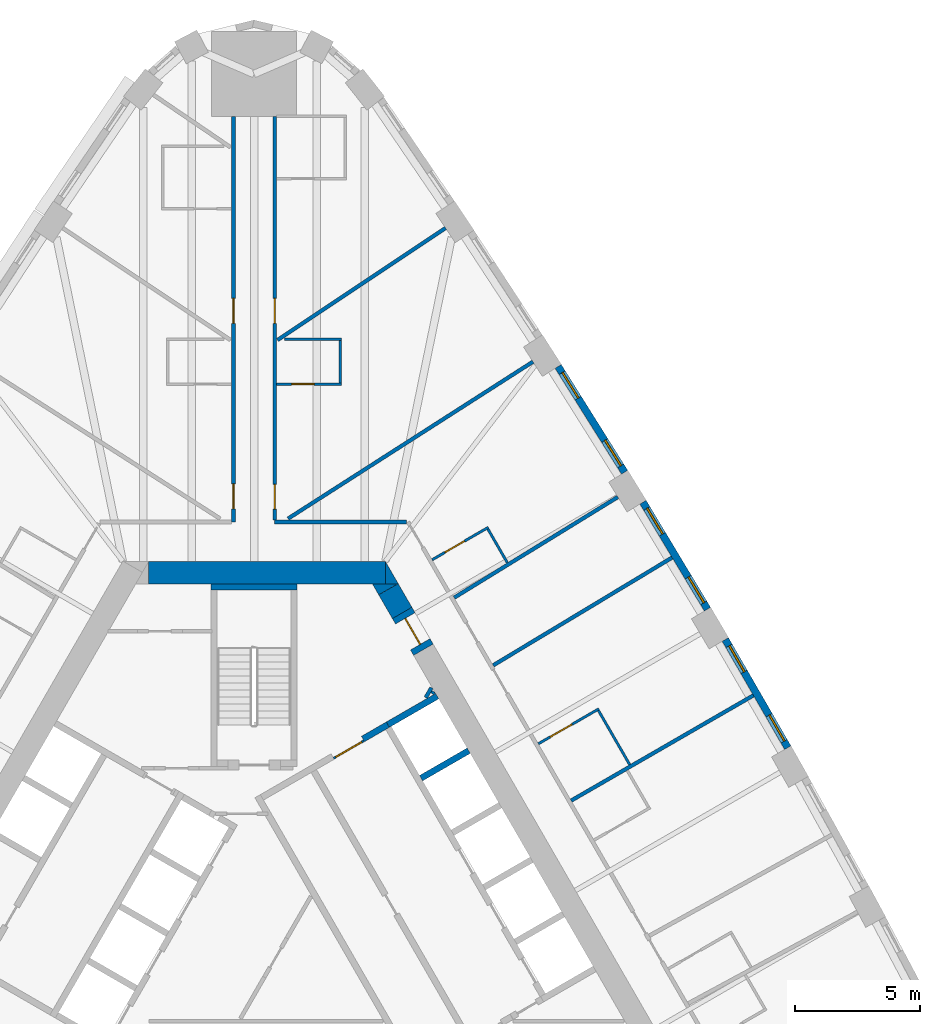
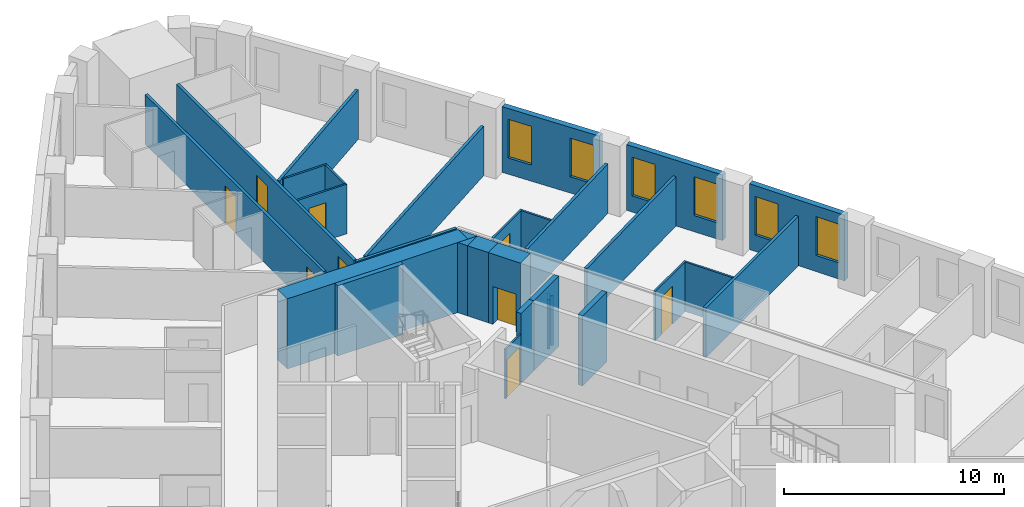
# One storey, part 11 of 13: 30 walls, 9 doors, 6 windows, 15 openings.
"""IFC4 building model written with IfcOpenShell, lengths in metres."""

import ifcopenshell
import ifcopenshell.guid

model = None  # the IFC model being written
_history = None  # IfcOwnerHistory: only IFC2X3 demands one
_inside = {}  # id of a spatial element -> (the spatial element, [elements in it])
_under = {}  # id of a project, library or spatial element -> (it, [spatial elements below it])
_declared = {}  # id of a project -> (the project, [libraries it declares])
_typed = {}  # id of a type object -> (the type object, [elements of that type])
_made_of = {}  # id of a material, layer set ... -> (it, [elements and type objects made of it])


def new_model(schema):
    """Start an empty IFC model of exactly this schema.

    Asked for "IFC4X3", IfcOpenShell would pick the latest addendum, in which some entities
    have other attributes; the version numbers below select the first issue.
    IFC2X3 requires an IfcOwnerHistory on every rooted entity: one is made here for all.
    """
    global model, _history
    if schema == "IFC4X3":
        model = ifcopenshell.file(schema_version=(4, 3, 0, 0))
    else:
        model = ifcopenshell.file(schema=schema)
    _inside.clear()
    _under.clear()
    _declared.clear()
    _typed.clear()
    _made_of.clear()
    _history = None
    if model.schema == "IFC2X3":
        org = make("IfcOrganization", Name="unknown")
        user = make(
            "IfcPersonAndOrganization",
            ThePerson=make("IfcPerson", FamilyName="unknown"),
            TheOrganization=org,
        )
        app = make(
            "IfcApplication",
            ApplicationDeveloper=org,
            Version="unknown",
            ApplicationFullName="unknown",
            ApplicationIdentifier="unknown",
        )
        _history = make(
            "IfcOwnerHistory",
            OwningUser=user,
            OwningApplication=app,
            ChangeAction="ADDED",
            CreationDate=0,
        )
    return model


def make(cls, **values):
    """One entity of the class cls with the attributes given. An attribute that is None is left unset."""
    return model.create_entity(
        cls, **{name: value for name, value in values.items() if value is not None}
    )


def rooted(cls, **values):
    """An entity with a GlobalId (a new one), such as an element, a storey or a relation."""
    return make(cls, GlobalId=ifcopenshell.guid.new(), OwnerHistory=_history, **values)


def si_unit(unit_type, name, prefix=None):
    """IfcSIUnit, for example si_unit("LENGTHUNIT", "METRE", prefix="MILLI")."""
    return make("IfcSIUnit", UnitType=unit_type, Prefix=prefix, Name=name)


def assignment(units):
    """IfcUnitAssignment: the units of a project."""
    return None if units is None else make("IfcUnitAssignment", Units=units)


def point(xyz):
    """IfcCartesianPoint."""
    return None if xyz is None else make("IfcCartesianPoint", Coordinates=xyz)


def direction(xyz):
    """IfcDirection."""
    return None if xyz is None else make("IfcDirection", DirectionRatios=xyz)


def frame(location, z_axis=None, x_axis=None):
    """IfcAxis2Placement3D, a coordinate frame: its origin and axes. An axis left out is left unset."""
    return make(
        "IfcAxis2Placement3D",
        Location=point(location),
        Axis=direction(z_axis),
        RefDirection=direction(x_axis),
    )


def frame_2d(location, x_axis=None):
    """IfcAxis2Placement2D, a coordinate frame in the plane: its origin and x axis."""
    return make(
        "IfcAxis2Placement2D", Location=point(location), RefDirection=direction(x_axis)
    )


def origin():
    """The frame at (0, 0, 0) with its axes left unset."""
    return frame((0.0, 0.0, 0.0))


def place(relative_to, where):
    """IfcLocalPlacement: puts the frame where relative to a parent placement (None: the world)."""
    return make(
        "IfcLocalPlacement", PlacementRelTo=relative_to, RelativePlacement=where
    )


def context(
    kind, dimensions, precision=None, world=None, true_north=None, identifier=None
):
    """IfcGeometricRepresentationContext, for example the 3D "Model" context."""
    return make(
        "IfcGeometricRepresentationContext",
        ContextIdentifier=identifier,
        ContextType=kind,
        CoordinateSpaceDimension=dimensions,
        Precision=precision,
        WorldCoordinateSystem=world,
        TrueNorth=true_north,
    )


def subcontext(parent, identifier, kind, view, scale=None):
    """IfcGeometricRepresentationSubContext, for example "Body" below "Model"."""
    return make(
        "IfcGeometricRepresentationSubContext",
        ContextIdentifier=identifier,
        ContextType=kind,
        ParentContext=parent,
        TargetScale=scale,
        TargetView=view,
    )


def project(units=None, contexts=None):
    """IfcProject with its units and contexts."""
    return rooted(
        "IfcProject",
        Name="project",
        RepresentationContexts=contexts,
        UnitsInContext=assignment(units),
    )


def spatial(cls, under=None, at=None, **own):
    """A site, building, storey or space (cls), placed at a placement, below another one or the project."""
    s = rooted(cls, ObjectPlacement=at, **own)
    if under is not None:
        _under.setdefault(under.id(), (under, []))[1].append(s)
    return s


def polyline(points):
    """IfcPolyline through the points."""
    return make("IfcPolyline", Points=[point(p) for p in points])


def profile(cls, at=None, kind="AREA", **sizes):
    """A parametric profile (cls). Its sizes go by their IFC names, for example OverallWidth=200.0."""
    return make(cls, ProfileType=kind, Position=at, **sizes)


def rectangle(**sizes):
    """IfcRectangleProfileDef."""
    return profile("IfcRectangleProfileDef", **sizes)


def outline(outer, holes=None, kind="AREA"):
    """IfcArbitraryClosedProfileDef: a profile drawn as a closed curve; with holes, ...WithVoids."""
    if holes is None:
        return make("IfcArbitraryClosedProfileDef", ProfileType=kind, OuterCurve=outer)
    return make(
        "IfcArbitraryProfileDefWithVoids",
        ProfileType=kind,
        OuterCurve=outer,
        InnerCurves=holes,
    )


def extrude(swept, where, along, depth):
    """IfcExtrudedAreaSolid: the profile swept, set in the frame where, extruded along a direction by depth."""
    return make(
        "IfcExtrudedAreaSolid",
        SweptArea=swept,
        Position=where,
        ExtrudedDirection=direction(along),
        Depth=depth,
    )


def shape(context_of_items, identifier, shape_type, items):
    """IfcShapeRepresentation: the items that make up one representation, for example the "Body"."""
    return make(
        "IfcShapeRepresentation",
        ContextOfItems=context_of_items,
        RepresentationIdentifier=identifier,
        RepresentationType=shape_type,
        Items=items,
    )


def material(Name=None, Category=None):
    """IfcMaterial."""
    return make("IfcMaterial", Name=Name, Category=Category)


def layer(
    of_material, thickness, ventilated=None, Name=None, Category=None, Priority=None
):
    """IfcMaterialLayer: one layer of a wall or slab, of a material (None: an air gap)."""
    return make(
        "IfcMaterialLayer",
        Material=of_material,
        LayerThickness=thickness,
        IsVentilated=ventilated,
        Name=Name,
        Category=Category,
        Priority=Priority,
    )


def layer_set(layers, Name=None):
    """IfcMaterialLayerSet."""
    return make("IfcMaterialLayerSet", MaterialLayers=layers, LayerSetName=Name)


def made_of(thing, what):
    """Note that an element or type object is made of a material, layer set ...; save() writes the relation."""
    if what is not None:
        _made_of.setdefault(what.id(), (what, []))[1].append(thing)
    return thing


def type_object(cls, material=None, **own):
    """A type object (cls), such as IfcWallType, which elements share."""
    return made_of(rooted(cls, **own), material)


def element(
    cls,
    number,
    at=None,
    inside=None,
    cuts=None,
    type_object=None,
    material=None,
    context=None,
    identifier="Body",
    shape_type=None,
    held_by="IfcProductDefinitionShape",
    body=None,
    shapes=None,
    **own,
):
    """One element of the class cls, such as IfcWall. Its Tag is "e" and its number.

    at: its placement. inside: the storey or other place that contains it. cuts: it is an
    opening in that element (IfcRelVoidsElement). A single representation is given by context,
    identifier, shape_type and body (its items); several are given by shapes. held_by: the class
    of the entity that holds the representations. save() writes the other relations.
    """
    e = rooted(cls, Tag="e%d" % number, ObjectPlacement=at, **own)
    if body is not None:
        shapes = [shape(context, identifier, shape_type, body)]
    if shapes is not None:
        e.Representation = make(held_by, Representations=shapes)
    if inside is not None:
        _inside.setdefault(inside.id(), (inside, []))[1].append(e)
    if cuts is not None:
        rooted(
            "IfcRelVoidsElement", RelatingBuildingElement=cuts, RelatedOpeningElement=e
        )
    if type_object is not None:
        _typed.setdefault(type_object.id(), (type_object, []))[1].append(e)
    return made_of(e, material)


def fill(opening, filler):
    """IfcRelFillsElement: the door or window that sits in an opening."""
    return rooted(
        "IfcRelFillsElement",
        RelatingOpeningElement=opening,
        RelatedBuildingElement=filler,
    )


def aggregate(whole, parts):
    """IfcRelAggregates: a whole, such as a stair, and the parts it consists of."""
    return rooted("IfcRelAggregates", RelatingObject=whole, RelatedObjects=parts)


def save(model, path):
    """Write the relations noted so far, then the file.

    IfcRelAggregates (storeys below a building ...), IfcRelContainedInSpatialStructure (elements
    in a storey), IfcRelDefinesByType, IfcRelAssociatesMaterial and IfcRelDeclares: one each for
    every whole, place, type object, material and project.
    """
    for whole, parts in _under.values():
        aggregate(whole, parts)
    for where, things in _inside.values():
        rooted(
            "IfcRelContainedInSpatialStructure",
            RelatedElements=things,
            RelatingStructure=where,
        )
    for kind, things in _typed.values():
        rooted("IfcRelDefinesByType", RelatedObjects=things, RelatingType=kind)
    for what, things in _made_of.values():
        rooted("IfcRelAssociatesMaterial", RelatedObjects=things, RelatingMaterial=what)
    for by, libraries in _declared.values():
        rooted("IfcRelDeclares", RelatingContext=by, RelatedDefinitions=libraries)
    model.write(path)


model = new_model("IFC4")

# Units and contexts
model_context = context("Model", 3, precision=1e-05, world=origin(), true_north=direction((0.0, 1.0)))
body_context = subcontext(model_context, "Body", "Model", "MODEL_VIEW")
ifc_project = project(units=[si_unit("LENGTHUNIT", "METRE"), si_unit("AREAUNIT", "SQUARE_METRE"), si_unit("VOLUMEUNIT", "CUBIC_METRE"), si_unit("PLANEANGLEUNIT", "RADIAN"), si_unit("MASSUNIT", "GRAM", prefix="KILO")], contexts=[model_context])

# Site, building, storey
site_placement = place(None, origin())
site = spatial("IfcSite", under=ifc_project, at=site_placement, CompositionType="ELEMENT")
building_placement = place(site_placement, origin())
building = spatial("IfcBuilding", under=site, at=building_placement, Name="Mestral Congress Tower", CompositionType="ELEMENT")
storey_placement = place(building_placement, frame((0.0, 0.0, 27.60009765625)))
storey = spatial("IfcBuildingStorey", under=building, at=storey_placement, Name="L05", CompositionType="ELEMENT", Elevation=27.60009765625)

# Walls
ifc_material_1 = material(Name="Fire-rated board partition")
ifc_layer_1 = layer(ifc_material_1, 0.14990234375)
ifc_layer_set_1 = layer_set([ifc_layer_1], Name="Fire-rated board partition")
wall_type_1 = type_object("IfcWallType", Name="Core partition 150", PredefinedType="PARTITIONING", material=ifc_layer_set_1)
wall_1_placement = place(storey_placement, frame((6.87158203125, 11.44970703125, 0.0), z_axis=(0.0, 0.0, 1.0), x_axis=(0.499846793097, 0.866113839764, 0.0)))
element("IfcWall", 1, at=wall_1_placement, inside=storey, type_object=wall_type_1, Name="L05 core wall", PredefinedType="PARTITIONING", context=body_context, shape_type="SweptSolid", body=[
    extrude(rectangle(XDim=0.453369140625, YDim=0.14990234375, at=frame_2d((0.2265625, 0.0))), origin(), (0.0, 0.0, 1.0), 2.75),
])
wall_2_placement = place(storey_placement, frame((7.13134765625, 11.599609375, 0.0), z_axis=(0.0, 0.0, 1.0), x_axis=(0.498600033135, 0.866832167699, 0.0)))
element("IfcWall", 2, at=wall_2_placement, inside=storey, type_object=wall_type_1, Name="L05 core wall", PredefinedType="PARTITIONING", context=body_context, shape_type="SweptSolid", body=[
    extrude(rectangle(XDim=0.106689453125, YDim=0.14990234375, at=frame_2d((0.05322265625, 0.0))), origin(), (0.0, 0.0, 1.0), 2.75),
])

# Wall, opening, door
ifc_layer_2 = layer(ifc_material_1, 0.090087890625)
ifc_layer_set_2 = layer_set([ifc_layer_2], Name="Fire-rated board partition")
wall_type_2 = type_object("IfcWallType", Name="Core partition 150 door-wall 90", PredefinedType="PARTITIONING", material=ifc_layer_set_2)
wall_3_placement = place(storey_placement, frame((3.182861328125, 9.02001953125, 0.0), z_axis=(0.0, 0.0, 1.0), x_axis=(0.866034573852, 0.49998411664, 0.0)))
wall_3 = element("IfcWall", 3, at=wall_3_placement, inside=storey, type_object=wall_type_2, Name="L05 door wall", PredefinedType="PARTITIONING", context=body_context, shape_type="SweptSolid", body=[
    extrude(rectangle(XDim=1.39990234375, YDim=0.090087890625, at=frame_2d((0.699951171875, 0.0))), origin(), (0.0, 0.0, 1.0), 2.75),
])
opening_1_placement = place(wall_3_placement, frame((0.10009765625, 0.0, 0.0)))
opening_1 = element("IfcOpeningElement", 4, at=opening_1_placement, cuts=wall_3, Name="Opening LB1-WL2", PredefinedType="OPENING", context=body_context, shape_type="SweptSolid", body=[
    extrude(rectangle(XDim=1.199951171875, YDim=2.10009765625, at=frame_2d((0.60009765625, 1.050048828125))), frame((0.0, 0.054931640625, 0.0), z_axis=(0.0, -1.0, 0.0), x_axis=(1.0, 0.0, 0.0)), (0.0, 0.0, 1.0), 0.110107421875),
])
ifc_material_2 = material(Name="Fire-rated steel door set", Category="steel")
door_type_1 = type_object("IfcDoorType", Name="Core door LB 1200x2100", OperationType="SINGLE_SWING_LEFT", PredefinedType="DOOR", material=ifc_material_2)
door_1_placement = place(opening_1_placement, origin())
door_1 = element("IfcDoor", 5, at=door_1_placement, inside=storey, type_object=door_type_1, Name="Door LB1-WL2", OperationType="SINGLE_SWING_LEFT", OverallHeight=2.10009765625, OverallWidth=1.199951171875, PredefinedType="DOOR", context=body_context, shape_type="SweptSolid", body=[
    extrude(rectangle(XDim=1.199951171875, YDim=2.10009765625, at=frame_2d((0.60009765625, 1.050048828125))), frame((0.0, 0.02490234375, 0.0), z_axis=(0.0, -1.0, 0.0), x_axis=(1.0, 0.0, 0.0)), (0.0, 0.0, 1.0), 0.050048828125),
])
fill(opening_1, door_1)

# Walls
ifc_material_3 = material(Name="Concrete C60/75", Category="concrete")
ifc_layer_3 = layer(ifc_material_3, 0.89990234375)
ifc_layer_set_3 = layer_set([ifc_layer_3], Name="Concrete C60/75")
wall_type_3 = type_object("IfcWallType", Name="Core wall RC 900", PredefinedType="SOLIDWALL", material=ifc_layer_set_3)
wall_4_placement = place(storey_placement, frame((-4.224365234375, 16.449951171875, 0.0), z_axis=(0.0, 0.0, 1.0), x_axis=(1.0, 0.0, 0.0)))
element("IfcWall", 6, at=wall_4_placement, inside=storey, type_object=wall_type_3, Name="L05 core wall", PredefinedType="SOLIDWALL", context=body_context, shape_type="SweptSolid", body=[
    extrude(rectangle(XDim=9.48779296875, YDim=0.89990234375, at=frame_2d((4.743896484375, 0.0))), origin(), (0.0, 0.0, 1.0), 3.89990234375),
])
placement = place(storey_placement, origin())
element("IfcWall", 7, at=placement, inside=storey, type_object=wall_type_3, Name="L05 core wall", PredefinedType="SOLIDWALL", context=body_context, shape_type="SweptSolid", body=[
    extrude(outline(polyline([(5.265380859375, 16.0), (5.265380859375, 16.8798828125), (5.7734375, 16.0), (5.265380859375, 16.0)])), origin(), (0.0, 0.0, 1.0), 3.89990234375),
])
wall_6_placement = place(storey_placement, frame((5.92578125, 14.836181640625, 0.0), z_axis=(0.0, 0.0, 1.0), x_axis=(-0.500076735116, 0.865981096212, 0.0)))
element("IfcWall", 8, at=wall_6_placement, inside=storey, type_object=wall_type_3, Name="L05 core wall", PredefinedType="SOLIDWALL", context=body_context, shape_type="SweptSolid", body=[
    extrude(rectangle(XDim=1.093505859375, YDim=0.89990234375, at=frame_2d((0.546875, 0.0))), origin(), (0.0, 0.0, 1.0), 3.89990234375),
])
element("IfcWall", 9, at=placement, inside=storey, type_object=wall_type_3, Name="L05 core wall", PredefinedType="SOLIDWALL", context=body_context, shape_type="SweptSolid", body=[
    extrude(outline(polyline([(4.734375, 16.0), (5.750244140625, 16.0), (4.98828125, 15.56005859375), (4.734375, 16.0)])), origin(), (0.0, 0.0, 1.0), 3.89990234375),
])

# Wall, opening, door
wall_8_placement = place(storey_placement, frame((5.92578125, 14.836181640625, 0.0), z_axis=(0.0, 0.0, 1.0), x_axis=(0.500062241894, -0.865989465428, 0.0)))
wall_8 = element("IfcWall", 10, at=wall_8_placement, inside=storey, type_object=wall_type_3, Name="L05 door wall", PredefinedType="SOLIDWALL", context=body_context, shape_type="SweptSolid", body=[
    extrude(rectangle(XDim=1.699951171875, YDim=0.89990234375, at=frame_2d((0.85009765625, 0.0))), origin(), (0.0, 0.0, 1.0), 3.89990234375),
])
opening_2_placement = place(wall_8_placement, frame((0.25, 0.0, 0.0)))
opening_2 = element("IfcOpeningElement", 11, at=opening_2_placement, cuts=wall_8, Name="Opening XD2", PredefinedType="OPENING", context=body_context, shape_type="SweptSolid", body=[
    extrude(rectangle(XDim=1.199951171875, YDim=2.10009765625, at=frame_2d((0.60009765625, 1.050048828125))), frame((0.0, 0.4599609375, 0.0), z_axis=(0.0, -1.0, 0.0), x_axis=(1.0, 0.0, 0.0)), (0.0, 0.0, 1.0), 0.919921875),
])
door_type_2 = type_object("IfcDoorType", Name="Core door XD 1200x2100", OperationType="SINGLE_SWING_LEFT", PredefinedType="DOOR", material=ifc_material_2)
door_2_placement = place(opening_2_placement, origin())
door_2 = element("IfcDoor", 12, at=door_2_placement, inside=storey, type_object=door_type_2, Name="Door XD2", OperationType="SINGLE_SWING_LEFT", OverallHeight=2.10009765625, OverallWidth=1.199951171875, PredefinedType="DOOR", context=body_context, shape_type="SweptSolid", body=[
    extrude(rectangle(XDim=1.199951171875, YDim=2.10009765625, at=frame_2d((0.60009765625, 1.050048828125))), frame((0.0, 0.02490234375, 0.0), z_axis=(0.0, -1.0, 0.0), x_axis=(1.0, 0.0, 0.0)), (0.0, 0.0, 1.0), 0.050048828125),
])
fill(opening_2, door_2)

# Wall, openings, windows
ifc_material_4 = material(Name="Precast concrete C40/50 with limestone facing", Category="masonry")
ifc_layer_4 = layer(ifc_material_4, 0.2900390625)
ifc_layer_set_4 = layer_set([ifc_layer_4], Name="Precast concrete C40/50 with limestone facing")
wall_type_4 = type_object("IfcWallType", Name="Facade stone wall 290", PredefinedType="SOLIDWALL", material=ifc_layer_set_4)
wall_9_placement = place(storey_placement, frame((21.357177734375, 9.44482421875, 0.0), z_axis=(0.0, 0.0, 1.0), x_axis=(-0.50002123722, 0.866013142123, 0.0)))
wall_9 = element("IfcWall", 13, at=wall_9_placement, inside=storey, type_object=wall_type_4, Name="Facade wall F1-04", PredefinedType="SOLIDWALL", context=body_context, shape_type="SweptSolid", body=[
    extrude(rectangle(XDim=4.998291015625, YDim=0.2900390625, at=frame_2d((2.4990234375, 0.0))), origin(), (0.0, 0.0, 1.0), 3.64990234375),
])
opening_3_placement = place(wall_9_placement, frame((0.297119140625, 0.0, 0.89990234375)))
opening_3 = element("IfcOpeningElement", 14, at=opening_3_placement, cuts=wall_9, Name="Opening W1", PredefinedType="OPENING", context=body_context, shape_type="SweptSolid", body=[
    extrude(rectangle(XDim=1.199951171875, YDim=2.14990234375, at=frame_2d((0.60009765625, 1.074951171875))), frame((0.0, 0.155029296875, 0.0), z_axis=(0.0, -1.0, 0.0), x_axis=(1.0, 0.0, 0.0)), (0.0, 0.0, 1.0), 0.31005859375),
])
opening_4_placement = place(wall_9_placement, frame((3.501220703125, 0.0, 0.89990234375)))
opening_4 = element("IfcOpeningElement", 15, at=opening_4_placement, cuts=wall_9, Name="Opening W1", PredefinedType="OPENING", context=body_context, shape_type="SweptSolid", body=[
    extrude(rectangle(XDim=1.199951171875, YDim=2.14990234375, at=frame_2d((0.60009765625, 1.074951171875))), frame((0.0, 0.155029296875, 0.0), z_axis=(0.0, -1.0, 0.0), x_axis=(1.0, 0.0, 0.0)), (0.0, 0.0, 1.0), 0.31005859375),
])
ifc_material_5 = material(Name="Clear low-emissivity double glazing", Category="glass")
window_type = type_object("IfcWindowType", Name="Facade punched window 1200 x 2150 sill 900", PartitioningType="DOUBLE_PANEL_VERTICAL", PredefinedType="WINDOW", material=ifc_material_5)
window_1_placement = place(opening_3_placement, origin())
window_1 = element("IfcWindow", 16, at=window_1_placement, inside=storey, type_object=window_type, Name="Window F1-04a", OverallHeight=2.14990234375, OverallWidth=1.199951171875, PartitioningType="DOUBLE_PANEL_VERTICAL", PredefinedType="WINDOW", context=body_context, shape_type="SweptSolid", body=[
    extrude(rectangle(XDim=1.199951171875, YDim=2.14990234375, at=frame_2d((0.60009765625, 1.074951171875))), frame((0.0, 0.01513671875, 0.0), z_axis=(0.0, -1.0, 0.0), x_axis=(1.0, 0.0, 0.0)), (0.0, 0.0, 1.0), 0.06005859375),
])
fill(opening_3, window_1)
window_2_placement = place(opening_4_placement, origin())
window_2 = element("IfcWindow", 17, at=window_2_placement, inside=storey, type_object=window_type, Name="Window F1-04b", OverallHeight=2.14990234375, OverallWidth=1.199951171875, PartitioningType="DOUBLE_PANEL_VERTICAL", PredefinedType="WINDOW", context=body_context, shape_type="SweptSolid", body=[
    extrude(rectangle(XDim=1.199951171875, YDim=2.14990234375, at=frame_2d((0.60009765625, 1.074951171875))), frame((0.0, 0.01513671875, 0.0), z_axis=(0.0, -1.0, 0.0), x_axis=(1.0, 0.0, 0.0)), (0.0, 0.0, 1.0), 0.06005859375),
])
fill(opening_4, window_2)

wall_10_placement = place(storey_placement, frame((18.143310546875, 14.985595703125, 0.0), z_axis=(0.0, 0.0, 1.0), x_axis=(-0.515938796285, 0.856625448191, 0.0)))
wall_10 = element("IfcWall", 18, at=wall_10_placement, inside=storey, type_object=wall_type_4, Name="Facade wall F1-05", PredefinedType="SOLIDWALL", context=body_context, shape_type="SweptSolid", body=[
    extrude(rectangle(XDim=4.998291015625, YDim=0.2900390625, at=frame_2d((2.4990234375, 0.0))), origin(), (0.0, 0.0, 1.0), 3.64990234375),
])
opening_5_placement = place(wall_10_placement, frame((0.297119140625, 0.0, 0.89990234375)))
opening_5 = element("IfcOpeningElement", 19, at=opening_5_placement, cuts=wall_10, Name="Opening W1", PredefinedType="OPENING", context=body_context, shape_type="SweptSolid", body=[
    extrude(rectangle(XDim=1.199951171875, YDim=2.14990234375, at=frame_2d((0.60009765625, 1.074951171875))), frame((0.0, 0.155029296875, 0.0), z_axis=(0.0, -1.0, 0.0), x_axis=(1.0, 0.0, 0.0)), (0.0, 0.0, 1.0), 0.31005859375),
])
opening_6_placement = place(wall_10_placement, frame((3.501220703125, 0.0, 0.89990234375)))
opening_6 = element("IfcOpeningElement", 20, at=opening_6_placement, cuts=wall_10, Name="Opening W1", PredefinedType="OPENING", context=body_context, shape_type="SweptSolid", body=[
    extrude(rectangle(XDim=1.199951171875, YDim=2.14990234375, at=frame_2d((0.60009765625, 1.074951171875))), frame((0.0, 0.155029296875, 0.0), z_axis=(0.0, -1.0, 0.0), x_axis=(1.0, 0.0, 0.0)), (0.0, 0.0, 1.0), 0.31005859375),
])
window_3_placement = place(opening_5_placement, origin())
window_3 = element("IfcWindow", 21, at=window_3_placement, inside=storey, type_object=window_type, Name="Window F1-05a", OverallHeight=2.14990234375, OverallWidth=1.199951171875, PartitioningType="DOUBLE_PANEL_VERTICAL", PredefinedType="WINDOW", context=body_context, shape_type="SweptSolid", body=[
    extrude(rectangle(XDim=1.199951171875, YDim=2.14990234375, at=frame_2d((0.60009765625, 1.074951171875))), frame((0.0, 0.01513671875, 0.0), z_axis=(0.0, -1.0, 0.0), x_axis=(1.0, 0.0, 0.0)), (0.0, 0.0, 1.0), 0.06005859375),
])
fill(opening_5, window_3)
window_4_placement = place(opening_6_placement, origin())
window_4 = element("IfcWindow", 22, at=window_4_placement, inside=storey, type_object=window_type, Name="Window F1-05b", OverallHeight=2.14990234375, OverallWidth=1.199951171875, PartitioningType="DOUBLE_PANEL_VERTICAL", PredefinedType="WINDOW", context=body_context, shape_type="SweptSolid", body=[
    extrude(rectangle(XDim=1.199951171875, YDim=2.14990234375, at=frame_2d((0.60009765625, 1.074951171875))), frame((0.0, 0.01513671875, 0.0), z_axis=(0.0, -1.0, 0.0), x_axis=(1.0, 0.0, 0.0)), (0.0, 0.0, 1.0), 0.06005859375),
])
fill(opening_6, window_4)

wall_11_placement = place(storey_placement, frame((14.827392578125, 20.466064453125, 0.0), z_axis=(0.0, 0.0, 1.0), x_axis=(-0.531688286542, 0.846940119462, 0.0)))
wall_11 = element("IfcWall", 23, at=wall_11_placement, inside=storey, type_object=wall_type_4, Name="Facade wall F1-06", PredefinedType="SOLIDWALL", context=body_context, shape_type="SweptSolid", body=[
    extrude(rectangle(XDim=4.998291015625, YDim=0.2900390625, at=frame_2d((2.4990234375, 0.0))), origin(), (0.0, 0.0, 1.0), 3.64990234375),
])
opening_7_placement = place(wall_11_placement, frame((0.297119140625, 0.0, 0.89990234375)))
opening_7 = element("IfcOpeningElement", 24, at=opening_7_placement, cuts=wall_11, Name="Opening W1", PredefinedType="OPENING", context=body_context, shape_type="SweptSolid", body=[
    extrude(rectangle(XDim=1.199951171875, YDim=2.14990234375, at=frame_2d((0.60009765625, 1.074951171875))), frame((0.0, 0.155029296875, 0.0), z_axis=(0.0, -1.0, 0.0), x_axis=(1.0, 0.0, 0.0)), (0.0, 0.0, 1.0), 0.31005859375),
])
opening_8_placement = place(wall_11_placement, frame((3.501220703125, 0.0, 0.89990234375)))
opening_8 = element("IfcOpeningElement", 25, at=opening_8_placement, cuts=wall_11, Name="Opening W1", PredefinedType="OPENING", context=body_context, shape_type="SweptSolid", body=[
    extrude(rectangle(XDim=1.199951171875, YDim=2.14990234375, at=frame_2d((0.60009765625, 1.074951171875))), frame((0.0, 0.155029296875, 0.0), z_axis=(0.0, -1.0, 0.0), x_axis=(1.0, 0.0, 0.0)), (0.0, 0.0, 1.0), 0.31005859375),
])
window_5_placement = place(opening_7_placement, origin())
window_5 = element("IfcWindow", 26, at=window_5_placement, inside=storey, type_object=window_type, Name="Window F1-06a", OverallHeight=2.14990234375, OverallWidth=1.199951171875, PartitioningType="DOUBLE_PANEL_VERTICAL", PredefinedType="WINDOW", context=body_context, shape_type="SweptSolid", body=[
    extrude(rectangle(XDim=1.199951171875, YDim=2.14990234375, at=frame_2d((0.60009765625, 1.074951171875))), frame((0.0, 0.01513671875, 0.0), z_axis=(0.0, -1.0, 0.0), x_axis=(1.0, 0.0, 0.0)), (0.0, 0.0, 1.0), 0.06005859375),
])
fill(opening_7, window_5)
window_6_placement = place(opening_8_placement, origin())
window_6 = element("IfcWindow", 27, at=window_6_placement, inside=storey, type_object=window_type, Name="Window F1-06b", OverallHeight=2.14990234375, OverallWidth=1.199951171875, PartitioningType="DOUBLE_PANEL_VERTICAL", PredefinedType="WINDOW", context=body_context, shape_type="SweptSolid", body=[
    extrude(rectangle(XDim=1.199951171875, YDim=2.14990234375, at=frame_2d((0.60009765625, 1.074951171875))), frame((0.0, 0.01513671875, 0.0), z_axis=(0.0, -1.0, 0.0), x_axis=(1.0, 0.0, 0.0)), (0.0, 0.0, 1.0), 0.06005859375),
])
fill(opening_8, window_6)

# Wall, opening, door
ifc_material_6 = material(Name="Gypsum board partition on metal studs with mineral wool", Category="composite")
ifc_layer_5 = layer(ifc_material_6, 0.10009765625)
ifc_layer_set_5 = layer_set([ifc_layer_5], Name="Gypsum board partition on metal studs with mineral wool")
wall_type_5 = type_object("IfcWallType", Name="Hotel partition wall 100", PredefinedType="PARTITIONING", material=ifc_layer_set_5)
wall_12_placement = place(storey_placement, frame((13.79931640625, 10.9990234375, 0.0), z_axis=(0.0, 0.0, 1.0), x_axis=(-0.866034573852, -0.49998411664, 0.0)))
wall_12 = element("IfcWall", 28, at=wall_12_placement, inside=storey, type_object=wall_type_5, Name="L05-h-pod16a", PredefinedType="PARTITIONING", context=body_context, shape_type="SweptSolid", body=[
    extrude(rectangle(XDim=2.7998046875, YDim=0.10009765625, at=frame_2d((1.39990234375, 0.0))), origin(), (0.0, 0.0, 1.0), 2.75),
])
opening_9_placement = place(wall_12_placement, frame((1.25, 0.0, 0.0)))
opening_9 = element("IfcOpeningElement", 29, at=opening_9_placement, cuts=wall_12, Name="Opening H01-031", PredefinedType="OPENING", context=body_context, shape_type="SweptSolid", body=[
    extrude(rectangle(XDim=1.0, YDim=2.10009765625, at=frame_2d((0.5, 1.050048828125))), frame((0.0, 0.06005859375, 0.0), z_axis=(0.0, -1.0, 0.0), x_axis=(1.0, 0.0, 0.0)), (0.0, 0.0, 1.0), 0.1201171875),
])
ifc_material_7 = material(Name="Timber veneer door leaf in timber frame", Category="wood")
door_type_3 = type_object("IfcDoorType", Name="Accessible bathroom door 1000", OperationType="SINGLE_SWING_LEFT", PredefinedType="DOOR", material=ifc_material_7)
door_3_placement = place(opening_9_placement, origin())
door_3 = element("IfcDoor", 30, at=door_3_placement, inside=storey, type_object=door_type_3, Name="L05-h-d031", OperationType="SINGLE_SWING_LEFT", OverallHeight=2.10009765625, OverallWidth=1.0, PredefinedType="DOOR", context=body_context, shape_type="SweptSolid", body=[
    extrude(rectangle(XDim=1.0, YDim=2.10009765625, at=frame_2d((0.5, 1.050048828125))), frame((0.0, 0.02490234375, 0.0), z_axis=(0.0, -1.0, 0.0), x_axis=(1.0, 0.0, 0.0)), (0.0, 0.0, 1.0), 0.050048828125),
])
fill(opening_9, door_3)

# Wall
wall_13_placement = place(storey_placement, frame((13.781005859375, 10.9306640625, 0.0), z_axis=(0.0, 0.0, 1.0), x_axis=(0.500004234368, -0.866022959057, 0.0)))
element("IfcWall", 31, at=wall_13_placement, inside=storey, type_object=wall_type_5, Name="L05-h-pod16b", PredefinedType="PARTITIONING", context=body_context, shape_type="SweptSolid", body=[
    extrude(rectangle(XDim=2.5, YDim=0.10009765625, at=frame_2d((1.25, 0.0))), origin(), (0.0, 0.0, 1.0), 2.75),
])

# Wall, opening, door
wall_14_placement = place(storey_placement, frame((9.37548828125, 18.26123046875, 0.0), z_axis=(0.0, 0.0, 1.0), x_axis=(-0.866021400173, -0.500006934395, 0.0)))
wall_14 = element("IfcWall", 32, at=wall_14_placement, inside=storey, type_object=wall_type_5, Name="L05-h-pod18a", PredefinedType="PARTITIONING", context=body_context, shape_type="SweptSolid", body=[
    extrude(rectangle(XDim=2.60009765625, YDim=0.10009765625, at=frame_2d((1.300048828125, 0.0))), origin(), (0.0, 0.0, 1.0), 2.75),
])
opening_10_placement = place(wall_14_placement, frame((1.10009765625, 0.0, 0.0)))
opening_10 = element("IfcOpeningElement", 33, at=opening_10_placement, cuts=wall_14, Name="Opening H01-034", PredefinedType="OPENING", context=body_context, shape_type="SweptSolid", body=[
    extrude(rectangle(XDim=0.89990234375, YDim=2.10009765625, at=frame_2d((0.449951171875, 1.050048828125))), frame((0.0, 0.06005859375, 0.0), z_axis=(0.0, -1.0, 0.0), x_axis=(1.0, 0.0, 0.0)), (0.0, 0.0, 1.0), 0.1201171875),
])
door_type_4 = type_object("IfcDoorType", Name="Bathroom door 900", OperationType="SINGLE_SWING_LEFT", PredefinedType="DOOR", material=ifc_material_7)
door_4_placement = place(opening_10_placement, origin())
door_4 = element("IfcDoor", 34, at=door_4_placement, inside=storey, type_object=door_type_4, Name="L05-h-d034", OperationType="SINGLE_SWING_RIGHT", OverallHeight=2.10009765625, OverallWidth=0.89990234375, PredefinedType="DOOR", context=body_context, shape_type="SweptSolid", body=[
    extrude(rectangle(XDim=0.89990234375, YDim=2.10009765625, at=frame_2d((0.449951171875, 1.050048828125))), frame((0.0, 0.02490234375, 0.0), z_axis=(0.0, -1.0, 0.0), x_axis=(1.0, 0.0, 0.0)), (0.0, 0.0, 1.0), 0.050048828125),
])
fill(opening_10, door_4)

# Wall
wall_15_placement = place(storey_placement, frame((9.357177734375, 18.193115234375, 0.0), z_axis=(0.0, 0.0, 1.0), x_axis=(0.499899694197, -0.866083307622, 0.0)))
element("IfcWall", 35, at=wall_15_placement, inside=storey, type_object=wall_type_5, Name="L05-h-pod18b", PredefinedType="PARTITIONING", context=body_context, shape_type="SweptSolid", body=[
    extrude(rectangle(XDim=1.550048828125, YDim=0.10009765625, at=frame_2d((0.77490234375, 0.0))), origin(), (0.0, 0.0, 1.0), 2.75),
])

# Wall, opening, door
wall_16_placement = place(storey_placement, frame((0.89990234375, 23.994384765625, 0.0), z_axis=(0.0, 0.0, 1.0), x_axis=(1.0, 0.0, 0.0)))
wall_16 = element("IfcWall", 36, at=wall_16_placement, inside=storey, type_object=wall_type_5, Name="L05-h-pod19a", PredefinedType="PARTITIONING", context=body_context, shape_type="SweptSolid", body=[
    extrude(rectangle(XDim=2.60009765625, YDim=0.10009765625, at=frame_2d((1.300048828125, 0.0))), origin(), (0.0, 0.0, 1.0), 2.75),
])
opening_11_placement = place(wall_16_placement, frame((0.60009765625, 0.0, 0.0)))
opening_11 = element("IfcOpeningElement", 37, at=opening_11_placement, cuts=wall_16, Name="Opening H01-036", PredefinedType="OPENING", context=body_context, shape_type="SweptSolid", body=[
    extrude(rectangle(XDim=0.89990234375, YDim=2.10009765625, at=frame_2d((0.449951171875, 1.050048828125))), frame((0.0, 0.06005859375, 0.0), z_axis=(0.0, -1.0, 0.0), x_axis=(1.0, 0.0, 0.0)), (0.0, 0.0, 1.0), 0.1201171875),
])
door_5_placement = place(opening_11_placement, origin())
door_5 = element("IfcDoor", 38, at=door_5_placement, inside=storey, type_object=door_type_4, Name="L05-h-d036", OperationType="SINGLE_SWING_LEFT", OverallHeight=2.10009765625, OverallWidth=0.89990234375, PredefinedType="DOOR", context=body_context, shape_type="SweptSolid", body=[
    extrude(rectangle(XDim=0.89990234375, YDim=2.10009765625, at=frame_2d((0.449951171875, 1.050048828125))), frame((0.0, 0.02490234375, 0.0), z_axis=(0.0, -1.0, 0.0), x_axis=(1.0, 0.0, 0.0)), (0.0, 0.0, 1.0), 0.050048828125),
])
fill(opening_11, door_5)

# Walls
wall_17_placement = place(storey_placement, frame((3.449951171875, 24.04443359375, 0.0), z_axis=(0.0, 0.0, 1.0), x_axis=(0.0, 1.0, 0.0)))
element("IfcWall", 39, at=wall_17_placement, inside=storey, type_object=wall_type_5, Name="L05-h-pod19b", PredefinedType="PARTITIONING", context=body_context, shape_type="SweptSolid", body=[
    extrude(rectangle(XDim=1.699951171875, YDim=0.10009765625, at=frame_2d((0.85009765625, 0.0))), origin(), (0.0, 0.0, 1.0), 2.75),
])
wall_18_placement = place(storey_placement, frame((1.2099609375, 25.79443359375, 0.0), z_axis=(0.0, 0.0, 1.0), x_axis=(1.0, 0.0, 0.0)))
element("IfcWall", 40, at=wall_18_placement, inside=storey, type_object=wall_type_5, Name="L05-h-pod19c", PredefinedType="PARTITIONING", context=body_context, shape_type="SweptSolid", body=[
    extrude(rectangle(XDim=2.2900390625, YDim=0.10009765625, at=frame_2d((1.14501953125, 0.0))), origin(), (0.0, 0.0, 1.0), 2.75),
])
ifc_layer_6 = layer(ifc_material_6, 0.14990234375)
ifc_layer_set_6 = layer_set([ifc_layer_6], Name="Gypsum board partition on metal studs with mineral wool")
wall_type_6 = type_object("IfcWallType", Name="Hotel partition wall 150", PredefinedType="PARTITIONING", material=ifc_layer_set_6)
wall_19_placement = place(storey_placement, frame((0.824951171875, 18.47509765625, 0.0), z_axis=(0.0, 0.0, 1.0), x_axis=(1.0, 0.0, 0.0)))
element("IfcWall", 41, at=wall_19_placement, inside=storey, type_object=wall_type_6, Name="L05-h-cw04", PredefinedType="PARTITIONING", context=body_context, shape_type="SweptSolid", body=[
    extrude(rectangle(XDim=5.268310546875, YDim=0.14990234375, at=frame_2d((2.63427734375, 0.0))), origin(), (0.0, 0.0, 1.0), 2.75),
])

# Wall, openings, doors
wall_20_placement = place(storey_placement, frame((0.824951171875, 34.698974609375, 0.0), z_axis=(0.0, 0.0, 1.0), x_axis=(0.0, -1.0, 0.0)))
wall_20 = element("IfcWall", 42, at=wall_20_placement, inside=storey, type_object=wall_type_6, Name="L05-h-cw05", PredefinedType="PARTITIONING", context=body_context, shape_type="SweptSolid", body=[
    extrude(rectangle(XDim=16.14404296875, YDim=0.14990234375, at=frame_2d((8.072021484375, 0.0))), origin(), (0.0, 0.0, 1.0), 2.75),
])
opening_12_placement = place(wall_20_placement, frame((14.7138671875, 0.0, 0.0)))
opening_12 = element("IfcOpeningElement", 43, at=opening_12_placement, cuts=wall_20, Name="Opening H01-035", PredefinedType="OPENING", context=body_context, shape_type="SweptSolid", body=[
    extrude(rectangle(XDim=1.0, YDim=2.10009765625, at=frame_2d((0.5, 1.050048828125))), frame((0.0, 0.0849609375, 0.0), z_axis=(0.0, -1.0, 0.0), x_axis=(1.0, 0.0, 0.0)), (0.0, 0.0, 1.0), 0.169921875),
])
opening_13_placement = place(wall_20_placement, frame((7.27490234375, 0.0, 0.0)))
opening_13 = element("IfcOpeningElement", 44, at=opening_13_placement, cuts=wall_20, Name="Opening H01-037", PredefinedType="OPENING", context=body_context, shape_type="SweptSolid", body=[
    extrude(rectangle(XDim=1.0, YDim=2.10009765625, at=frame_2d((0.5, 1.050048828125))), frame((0.0, 0.0849609375, 0.0), z_axis=(0.0, -1.0, 0.0), x_axis=(1.0, 0.0, 0.0)), (0.0, 0.0, 1.0), 0.169921875),
])
ifc_material_8 = material(Name="Timber veneer door leaf in metal frame", Category="wood")
door_type_5 = type_object("IfcDoorType", Name="Guest room entrance door 1000", OperationType="SINGLE_SWING_LEFT", PredefinedType="DOOR", material=ifc_material_8)
door_6_placement = place(opening_12_placement, origin())
door_6 = element("IfcDoor", 45, at=door_6_placement, inside=storey, type_object=door_type_5, Name="L05-h-d035", OperationType="SINGLE_SWING_RIGHT", OverallHeight=2.10009765625, OverallWidth=1.0, PredefinedType="DOOR", context=body_context, shape_type="SweptSolid", body=[
    extrude(rectangle(XDim=1.0, YDim=2.10009765625, at=frame_2d((0.5, 1.050048828125))), frame((0.0, 0.02490234375, 0.0), z_axis=(0.0, -1.0, 0.0), x_axis=(1.0, 0.0, 0.0)), (0.0, 0.0, 1.0), 0.050048828125),
])
fill(opening_12, door_6)
door_7_placement = place(opening_13_placement, origin())
door_7 = element("IfcDoor", 46, at=door_7_placement, inside=storey, type_object=door_type_5, Name="L05-h-d037", OperationType="SINGLE_SWING_RIGHT", OverallHeight=2.10009765625, OverallWidth=1.0, PredefinedType="DOOR", context=body_context, shape_type="SweptSolid", body=[
    extrude(rectangle(XDim=1.0, YDim=2.10009765625, at=frame_2d((0.5, 1.050048828125))), frame((0.0, 0.02490234375, 0.0), z_axis=(0.0, -1.0, 0.0), x_axis=(1.0, 0.0, 0.0)), (0.0, 0.0, 1.0), 0.050048828125),
])
fill(opening_13, door_7)

wall_21_placement = place(storey_placement, frame((-0.824951171875, 18.47509765625, 0.0), z_axis=(0.0, 0.0, 1.0), x_axis=(0.0, 1.0, 0.0)))
wall_21 = element("IfcWall", 47, at=wall_21_placement, inside=storey, type_object=wall_type_6, Name="L05-h-cw06", PredefinedType="PARTITIONING", context=body_context, shape_type="SweptSolid", body=[
    extrude(rectangle(XDim=16.223876953125, YDim=0.14990234375, at=frame_2d((8.11181640625, 0.0))), origin(), (0.0, 0.0, 1.0), 2.75),
])
opening_14_placement = place(wall_21_placement, frame((7.948974609375, 0.0, 0.0)))
opening_14 = element("IfcOpeningElement", 48, at=opening_14_placement, cuts=wall_21, Name="Opening H01-039", PredefinedType="OPENING", context=body_context, shape_type="SweptSolid", body=[
    extrude(rectangle(XDim=1.0, YDim=2.10009765625, at=frame_2d((0.5, 1.050048828125))), frame((0.0, 0.0849609375, 0.0), z_axis=(0.0, -1.0, 0.0), x_axis=(1.0, 0.0, 0.0)), (0.0, 0.0, 1.0), 0.169921875),
])
opening_15_placement = place(wall_21_placement, frame((0.52587890625, 0.0, 0.0)))
opening_15 = element("IfcOpeningElement", 49, at=opening_15_placement, cuts=wall_21, Name="Opening H01-041", PredefinedType="OPENING", context=body_context, shape_type="SweptSolid", body=[
    extrude(rectangle(XDim=1.0, YDim=2.10009765625, at=frame_2d((0.5, 1.050048828125))), frame((0.0, 0.0849609375, 0.0), z_axis=(0.0, -1.0, 0.0), x_axis=(1.0, 0.0, 0.0)), (0.0, 0.0, 1.0), 0.169921875),
])
door_8_placement = place(opening_14_placement, origin())
door_8 = element("IfcDoor", 50, at=door_8_placement, inside=storey, type_object=door_type_5, Name="L05-h-d039", OperationType="SINGLE_SWING_LEFT", OverallHeight=2.10009765625, OverallWidth=1.0, PredefinedType="DOOR", context=body_context, shape_type="SweptSolid", body=[
    extrude(rectangle(XDim=1.0, YDim=2.10009765625, at=frame_2d((0.5, 1.050048828125))), frame((0.0, 0.02490234375, 0.0), z_axis=(0.0, -1.0, 0.0), x_axis=(1.0, 0.0, 0.0)), (0.0, 0.0, 1.0), 0.050048828125),
])
fill(opening_14, door_8)
door_9_placement = place(opening_15_placement, origin())
door_9 = element("IfcDoor", 51, at=door_9_placement, inside=storey, type_object=door_type_5, Name="L05-h-d041", OperationType="SINGLE_SWING_LEFT", OverallHeight=2.10009765625, OverallWidth=1.0, PredefinedType="DOOR", context=body_context, shape_type="SweptSolid", body=[
    extrude(rectangle(XDim=1.0, YDim=2.10009765625, at=frame_2d((0.5, 1.050048828125))), frame((0.0, 0.02490234375, 0.0), z_axis=(0.0, -1.0, 0.0), x_axis=(1.0, 0.0, 0.0)), (0.0, 0.0, 1.0), 0.050048828125),
])
fill(opening_15, door_9)

# Walls
wall_22_placement = place(storey_placement, frame((7.662353515625, 30.237548828125, 0.0), z_axis=(0.0, 0.0, 1.0), x_axis=(-0.831882886825, -0.554951225431, 0.0)))
element("IfcWall", 52, at=wall_22_placement, inside=storey, type_object=wall_type_6, Name="L05-h-pw17", PredefinedType="PARTITIONING", context=body_context, shape_type="SweptSolid", body=[
    extrude(rectangle(XDim=8.078857421875, YDim=0.14990234375, at=frame_2d((4.03955078125, 0.0))), origin(), (0.0, 0.0, 1.0), 2.75),
])
wall_23_placement = place(storey_placement, frame((11.16015625, 24.887939453125, 0.0), z_axis=(0.0, 0.0, 1.0), x_axis=(-0.84199813156, -0.539480441211, 0.0)))
element("IfcWall", 53, at=wall_23_placement, inside=storey, type_object=wall_type_6, Name="L05-h-pw18", PredefinedType="PARTITIONING", context=body_context, shape_type="SweptSolid", body=[
    extrude(rectangle(XDim=11.63818359375, YDim=0.14990234375, at=frame_2d((5.819091796875, 0.0))), origin(), (0.0, 0.0, 1.0), 2.75),
])
wall_24_placement = place(storey_placement, frame((14.55810546875, 19.474609375, 0.0), z_axis=(0.0, 0.0, 1.0), x_axis=(-0.851829455142, -0.523819223925, 0.0)))
element("IfcWall", 54, at=wall_24_placement, inside=storey, type_object=wall_type_6, Name="L05-h-pw20", PredefinedType="PARTITIONING", context=body_context, shape_type="SweptSolid", body=[
    extrude(rectangle(XDim=7.68798828125, YDim=0.14990234375, at=frame_2d((3.843994140625, 0.0))), origin(), (0.0, 0.0, 1.0), 2.75),
])
wall_25_placement = place(storey_placement, frame((16.7294921875, 17.051513671875, 0.0), z_axis=(0.0, 0.0, 1.0), x_axis=(-0.856630606266, -0.515930232113, 0.0)))
element("IfcWall", 55, at=wall_25_placement, inside=storey, type_object=wall_type_6, Name="L05-h-pw21", PredefinedType="PARTITIONING", context=body_context, shape_type="SweptSolid", body=[
    extrude(rectangle(XDim=8.35546875, YDim=0.14990234375, at=frame_2d((4.177734375, 0.0))), origin(), (0.0, 0.0, 1.0), 2.75),
])
wall_26_placement = place(storey_placement, frame((19.98193359375, 11.53662109375, 0.0), z_axis=(0.0, 0.0, 1.0), x_axis=(-0.866020994654, -0.500007636761, 0.0)))
element("IfcWall", 56, at=wall_26_placement, inside=storey, type_object=wall_type_6, Name="L05-h-pw23", PredefinedType="PARTITIONING", context=body_context, shape_type="SweptSolid", body=[
    extrude(rectangle(XDim=8.423095703125, YDim=0.14990234375, at=frame_2d((4.21142578125, 0.0))), origin(), (0.0, 0.0, 1.0), 2.75),
])
ifc_layer_7 = layer(ifc_material_3, 0.25)
ifc_layer_set_7 = layer_set([ifc_layer_7], Name="Concrete C60/75")
wall_type_7 = type_object("IfcWallType", Name="Shaft wall RC 250", PredefinedType="SOLIDWALL", material=ifc_layer_set_7)
wall_27_placement = place(storey_placement, frame((4.3583984375, 9.791015625, 0.0), z_axis=(0.0, 0.0, 1.0), x_axis=(0.866079547155, 0.499906209203, 0.0)))
element("IfcWall", 57, at=wall_27_placement, inside=storey, type_object=wall_type_7, Name="L05 core wall", PredefinedType="SOLIDWALL", context=body_context, shape_type="SweptSolid", body=[
    extrude(rectangle(XDim=1.150146484375, YDim=0.25, at=frame_2d((0.5751953125, 0.0))), origin(), (0.0, 0.0, 1.0), 3.89990234375),
])
wall_28_placement = place(storey_placement, frame((5.356201171875, 10.366943359375, 0.0), z_axis=(0.0, 0.0, 1.0), x_axis=(0.865978535641, 0.50008116922, 0.0)))
element("IfcWall", 58, at=wall_28_placement, inside=storey, type_object=wall_type_7, Name="L05 core wall", PredefinedType="SOLIDWALL", context=body_context, shape_type="SweptSolid", body=[
    extrude(rectangle(XDim=2.27783203125, YDim=0.25, at=frame_2d((1.138916015625, 0.0))), origin(), (0.0, 0.0, 1.0), 3.89990234375),
])
wall_29_placement = place(storey_placement, frame((6.68359375, 8.2236328125, 0.0), z_axis=(0.0, 0.0, 1.0), x_axis=(0.86605622881, 0.499946605688, 0.0)))
element("IfcWall", 59, at=wall_29_placement, inside=storey, type_object=wall_type_7, Name="L05 core wall", PredefinedType="SOLIDWALL", context=body_context, shape_type="SweptSolid", body=[
    extrude(rectangle(XDim=2.199951171875, YDim=0.25, at=frame_2d((1.10009765625, 0.0))), origin(), (0.0, 0.0, 1.0), 3.89990234375),
])
ifc_layer_8 = layer(ifc_material_3, 0.25)
ifc_layer_set_8 = layer_set([ifc_layer_8], Name="Concrete C60/75")
wall_type_8 = type_object("IfcWallType", Name="Stair wall RC 250", PredefinedType="SOLIDWALL", material=ifc_layer_set_8)
wall_30_placement = place(storey_placement, frame((-1.72509765625, 15.875, 0.0), z_axis=(0.0, 0.0, 1.0), x_axis=(1.0, 0.0, 0.0)))
element("IfcWall", 60, at=wall_30_placement, inside=storey, type_object=wall_type_8, Name="L05 core wall", PredefinedType="SOLIDWALL", context=body_context, shape_type="SweptSolid", body=[
    extrude(rectangle(XDim=3.4501953125, YDim=0.25, at=frame_2d((1.72509765625, 0.0))), origin(), (0.0, 0.0, 1.0), 3.89990234375),
])

save(model, "model.ifc")
